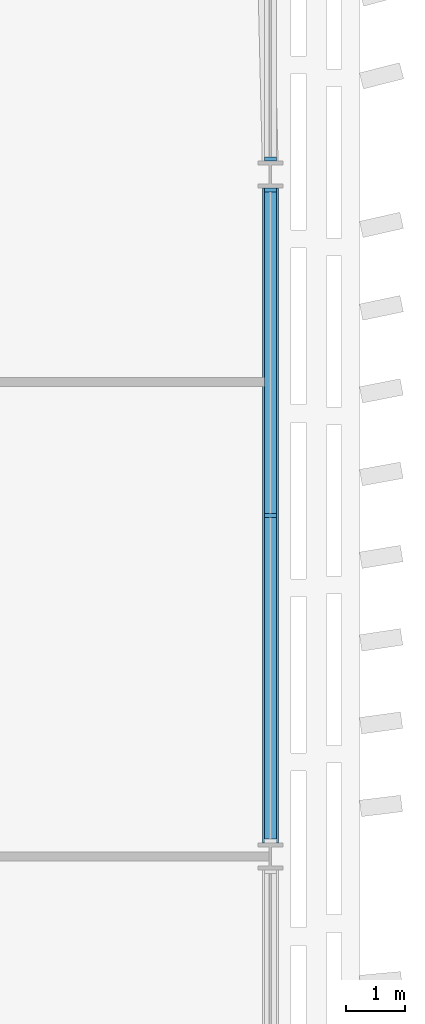
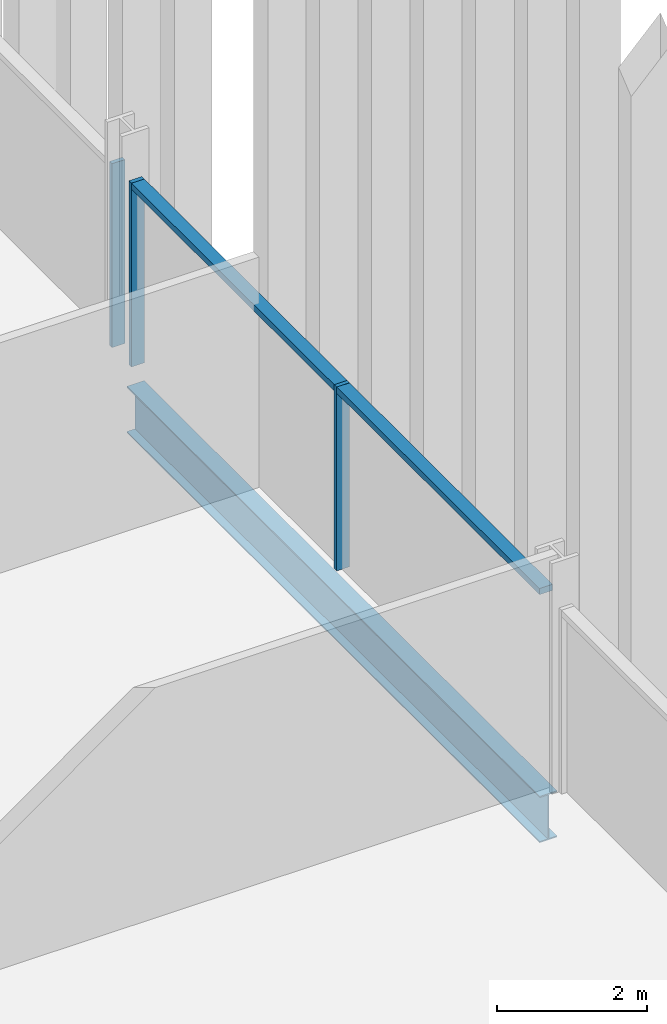
# One storey, part 9 of 31: 5 members, 1 beam, 2 elements without a shape of their own.
"""IFC4 building model written with IfcOpenShell, lengths in metres."""

from ifc_helpers import new_model, si_unit, direction, frame, origin, origin_2d, place, context, subcontext, project, spatial, rectangle, i_section, extrude, material, material_profile, profile_set, type_object, element, aggregate, save


model = new_model("IFC4")

# Units and contexts
model_context = context("Model", 3, precision=1e-05, world=origin(), true_north=direction((0.0, 1.0)))
body_context = subcontext(model_context, "Body", "Model", "MODEL_VIEW")
ifc_project = project(units=[si_unit("LENGTHUNIT", "METRE"), si_unit("AREAUNIT", "SQUARE_METRE"), si_unit("VOLUMEUNIT", "CUBIC_METRE"), si_unit("PLANEANGLEUNIT", "RADIAN"), si_unit("MASSUNIT", "GRAM", prefix="KILO")], contexts=[model_context])

# Site, building, storey
site_placement = place(None, origin())
site = spatial("IfcSite", under=ifc_project, at=site_placement, CompositionType="ELEMENT")
building_placement = place(site_placement, origin())
building = spatial("IfcBuilding", under=site, at=building_placement, Name="Mahtab Terrace Research Tower", CompositionType="ELEMENT")
storey_placement = place(building_placement, frame((0.0, 0.0, 101.199951171875)))
storey = spatial("IfcBuildingStorey", under=building, at=storey_placement, Name="L23", CompositionType="ELEMENT", Elevation=101.199951171875)

# Curtain wall, members
ifc_material_1 = material(Name="Laboratory ribbon curtain wall")
curtain_wall_type = type_object("IfcCurtainWallType", Name="Laboratory ribbon curtain wall", PredefinedType="NOTDEFINED", material=ifc_material_1)
curtain_wall_1_placement = place(storey_placement, origin())
curtain_wall_1 = element("IfcCurtainWall", 1, at=curtain_wall_1_placement, inside=storey, type_object=curtain_wall_type, Name="EN.L23.18.37", PredefinedType="NOTDEFINED")
ifc_material_2 = material(Name="Natural anodised aluminium", Category="aluminium")
ifc_material_profile_1 = material_profile(ifc_material_2, rectangle(XDim=0.199951171875, YDim=0.06494140625, at=origin_2d()), Name="MULLION 65x200")
ifc_profile_set_1 = profile_set([ifc_material_profile_1], Name="Natural anodised aluminium")
member_type_1 = type_object("IfcMemberType", Name="Laboratory ribbon curtain wall mullion", PredefinedType="MULLION", material=ifc_profile_set_1)
member_1_placement = place(storey_placement, frame((54.0, 5.75, 0.0), z_axis=(0.0, 0.0, 1.0), x_axis=(-1.0, 0.0, 0.0)))
member_1 = element("IfcMember", 2, at=member_1_placement, type_object=member_type_1, Name="CWL-3 mullion 2", PredefinedType="MULLION", context=body_context, shape_type="SweptSolid", body=[
    extrude(rectangle(XDim=0.199951171875, YDim=0.06494140625, at=origin_2d()), origin(), (0.0, 0.0, 1.0), 3.003173828125),
])
member_2_placement = place(storey_placement, frame((54.0, 11.239501953125, 0.0), z_axis=(0.0, 0.0, 1.0), x_axis=(-1.0, 0.0, 0.0)))
member_2 = element("IfcMember", 3, at=member_2_placement, type_object=member_type_1, Name="CWL-3 mullion 3", PredefinedType="MULLION", context=body_context, shape_type="SweptSolid", body=[
    extrude(rectangle(XDim=0.199951171875, YDim=0.06494140625, at=origin_2d()), origin(), (0.0, 0.0, 1.0), 3.003173828125),
])

# Curtain wall, member
curtain_wall_2_placement = place(storey_placement, origin())
curtain_wall_2 = element("IfcCurtainWall", 4, at=curtain_wall_2_placement, inside=storey, type_object=curtain_wall_type, Name="EN.L23.18.38", PredefinedType="NOTDEFINED")
member_3_placement = place(storey_placement, frame((54.0, 11.760498046875, 0.0), z_axis=(0.0, 0.0, 1.0), x_axis=(-1.0, 0.0, 0.0)))
member_3 = element("IfcMember", 5, at=member_3_placement, type_object=member_type_1, Name="CWL-3 mullion 1", PredefinedType="MULLION", context=body_context, shape_type="SweptSolid", body=[
    extrude(rectangle(XDim=0.199951171875, YDim=0.06494140625, at=origin_2d()), origin(), (0.0, 0.0, 1.0), 3.003173828125),
])
aggregate(curtain_wall_2, [member_3])

# Member
ifc_material_profile_2 = material_profile(ifc_material_2, rectangle(XDim=0.199951171875, YDim=0.10009765625, at=origin_2d()), Name="TRANSOM 100x200")
ifc_profile_set_2 = profile_set([ifc_material_profile_2], Name="Natural anodised aluminium")
member_type_2 = type_object("IfcMemberType", Name="Laboratory ribbon curtain wall transom", PredefinedType="USERDEFINED", material=ifc_profile_set_2)
member_4_placement = place(storey_placement, frame((54.0, 0.29296875, 2.953125), z_axis=(0.0, 1.0, 0.0), x_axis=(-1.0, 0.0, 0.0)))
member_4 = element("IfcMember", 6, at=member_4_placement, type_object=member_type_2, Name="CWL-3 transom 1", ObjectType="TRANSOM", PredefinedType="USERDEFINED", context=body_context, shape_type="SweptSolid", body=[
    extrude(rectangle(XDim=0.199951171875, YDim=0.10009765625, at=origin_2d()), origin(), (0.0, 0.0, 1.0), 5.424560546875),
])

member_5_placement = place(storey_placement, frame((54.0, 5.782470703125, 2.953125), z_axis=(0.0, 1.0, 0.0), x_axis=(-1.0, 0.0, 0.0)))
member_5 = element("IfcMember", 7, at=member_5_placement, type_object=member_type_2, Name="CWL-3 transom 2", ObjectType="TRANSOM", PredefinedType="USERDEFINED", context=body_context, shape_type="SweptSolid", body=[
    extrude(rectangle(XDim=0.199951171875, YDim=0.10009765625, at=origin_2d()), origin(), (0.0, 0.0, 1.0), 5.424560546875),
])

aggregate(curtain_wall_1, [member_1, member_2, member_4, member_5])

# Beam
ifc_material_3 = material(Name="Steel ASTM A992 Gr 50", Category="steel")
ifc_material_profile_3 = material_profile(ifc_material_3, i_section(OverallWidth=0.2666015625, OverallDepth=0.7568359375, WebThickness=0.013916015625, FlangeThickness=0.019287109375, at=origin_2d()), Name="W30X108")
ifc_profile_set_3 = profile_set([ifc_material_profile_3], Name="Steel ASTM A992 Gr 50")
beam_type = type_object("IfcBeamType", Name="W30x108 beam BS30108", PredefinedType="BEAM", material=ifc_profile_set_3)
beam_placement = place(storey_placement, frame((54.0, 0.227294921875, -0.718505859375), z_axis=(0.0, 1.0, 0.0), x_axis=(-1.0, 0.0, 0.0)))
element("IfcBeam", 8, at=beam_placement, inside=storey, type_object=beam_type, Name="Spandrel beam L23 21", PredefinedType="BEAM", context=body_context, shape_type="SweptSolid", body=[
    extrude(i_section(OverallWidth=0.2666015625, OverallDepth=0.7568359375, WebThickness=0.013916015625, FlangeThickness=0.019287109375, at=origin_2d()), origin(), (0.0, 0.0, 1.0), 11.04541015625),
])

save(model, "model.ifc")
